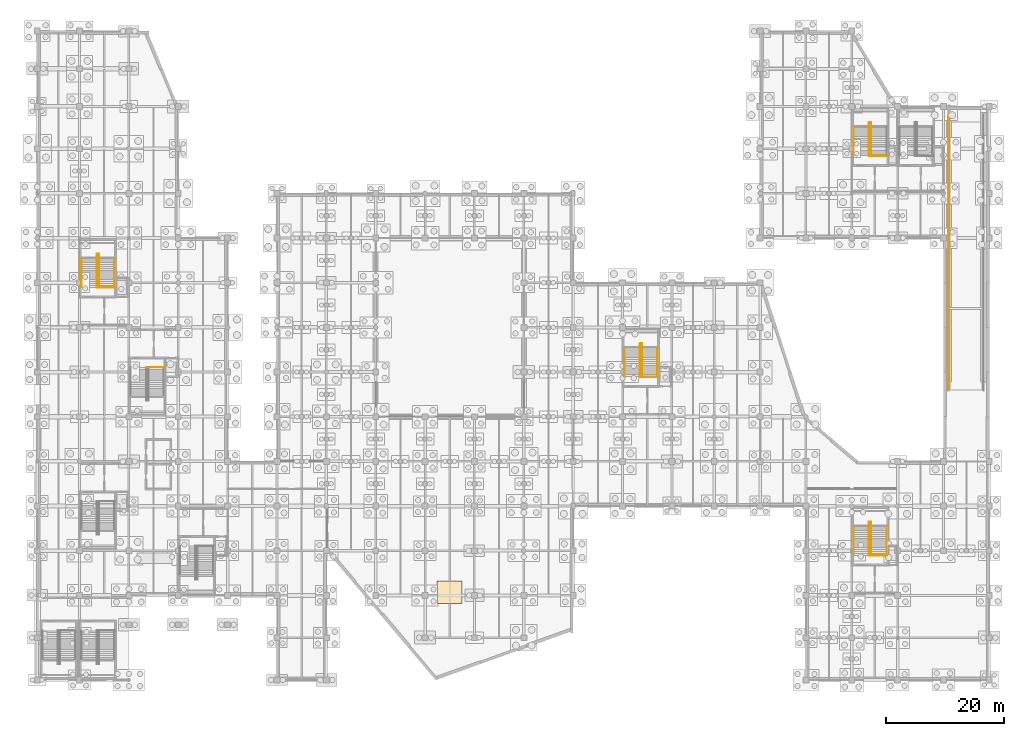
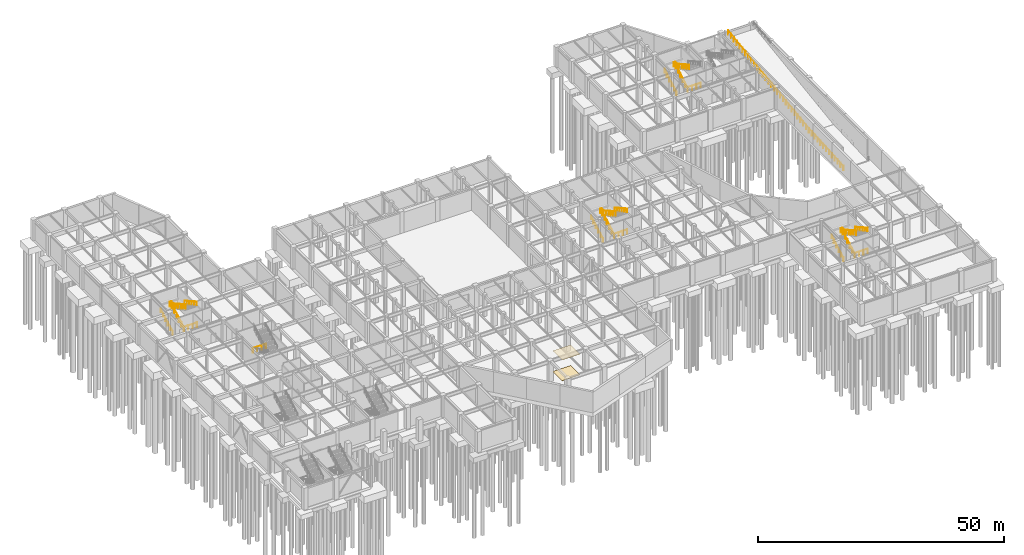
# One storey, part 50 of 52: 17 railings, 2 coverings.
"""IFC4 building model written with IfcOpenShell, lengths in metres."""

from ifc_helpers import new_model, si_unit, direction, frame, origin, origin_2d, place, context, subcontext, project, spatial, rectangle, circle, extrude, material, layer, layer_set, type_object, element, save


model = new_model("IFC4")

# Units and contexts
model_context = context("Model", 3, precision=1e-05, world=origin(), true_north=direction((0.0, 1.0)))
body_context = subcontext(model_context, "Body", "Model", "MODEL_VIEW")
ifc_project = project(units=[si_unit("LENGTHUNIT", "METRE"), si_unit("AREAUNIT", "SQUARE_METRE"), si_unit("VOLUMEUNIT", "CUBIC_METRE"), si_unit("PLANEANGLEUNIT", "RADIAN"), si_unit("MASSUNIT", "GRAM", prefix="KILO")], contexts=[model_context])

# Site, building, storey
site_placement = place(None, origin())
site = spatial("IfcSite", under=ifc_project, at=site_placement, CompositionType="ELEMENT")
building_placement = place(site_placement, origin())
building = spatial("IfcBuilding", under=site, at=building_placement, Name="Xicomal Pleat Aquarium", CompositionType="ELEMENT")
storey_placement = place(building_placement, frame((0.0, 0.0, -5.39990234375)))
storey = spatial("IfcBuildingStorey", under=building, at=storey_placement, Name="B1", CompositionType="ELEMENT", Elevation=-5.39990234375)

# Coverings
ifc_material_1 = material(Name="Acoustic mineral-fibre suspended ceiling", Category="gypsum")
ifc_layer_1 = layer(ifc_material_1, 0.02490234375)
ifc_layer_set_1 = layer_set([ifc_layer_1], Name="Acoustic mineral-fibre suspended ceiling")
covering_type_1 = type_object("IfcCoveringType", Name="COV-CEIL-25", PredefinedType="CEILING", material=ifc_layer_set_1)
covering_1_placement = place(storey_placement, frame((73.156982421875, 15.75, 5.135498046875), z_axis=(0.0, 0.0, 1.0), x_axis=(1.0, 0.0, 0.0)))
element("IfcCovering", 1, at=covering_1_placement, inside=storey, type_object=covering_type_1, Name="B1 acoustic ceiling 4", PredefinedType="CEILING", context=body_context, shape_type="SweptSolid", body=[
    extrude(rectangle(XDim=4.199951171875, YDim=3.800048828125, at=origin_2d()), origin(), (0.0, 0.0, 1.0), 0.02490234375),
])
ifc_material_2 = material(Name="Seamless marine terrazzo and epoxy flooring", Category="concrete")
ifc_layer_2 = layer(ifc_material_2, 0.02001953125)
ifc_layer_set_2 = layer_set([ifc_layer_2], Name="Seamless marine terrazzo and epoxy flooring")
covering_type_2 = type_object("IfcCoveringType", Name="COV-FLR-20", PredefinedType="FLOORING", material=ifc_layer_set_2)
covering_2_placement = place(storey_placement, frame((73.156982421875, 15.75, -0.001220703125), z_axis=(0.0, 0.0, 1.0), x_axis=(1.0, 0.0, 0.0)))
element("IfcCovering", 2, at=covering_2_placement, inside=storey, type_object=covering_type_2, Name="B1 marine terrazzo flooring 4", PredefinedType="FLOORING", context=body_context, shape_type="SweptSolid", body=[
    extrude(rectangle(XDim=4.199951171875, YDim=3.800048828125, at=origin_2d()), origin(), (0.0, 0.0, 1.0), 0.02001953125),
])

# Railings
ifc_material_3 = material(Name="Brushed stainless steel 316L", Category="steel")
railing_type_1 = type_object("IfcRailingType", Name="RAL-HR-900", PredefinedType="HANDRAIL", material=ifc_material_3)
railing_1_placement = place(storey_placement, frame((10.52001953125, 67.6201171875, 0.0)))
element("IfcRailing", 3, at=railing_1_placement, inside=storey, type_object=railing_type_1, Name="ST-03-B1 flight 1 handrail", PredefinedType="HANDRAIL", context=body_context, shape_type="SweptSolid", body=[
    extrude(circle(Radius=0.02392578125, at=origin_2d()), frame((0.0, 0.0, 0.8759765625), z_axis=(0.0, 0.872872184848, 0.487948920398), x_axis=(-1.0, 0.0, 0.0)), (0.0, 0.0, 1.0), 5.533203125),
    extrude(circle(Radius=0.02099609375, at=origin_2d()), origin(), (0.0, 0.0, 1.0), 0.851806640625),
    extrude(circle(Radius=0.02099609375, at=origin_2d()), frame((0.0, 0.966064453125, 0.5400390625)), (0.0, 0.0, 1.0), 0.851806640625),
    extrude(circle(Radius=0.02099609375, at=origin_2d()), frame((0.0, 1.931884765625, 1.080078125)), (0.0, 0.0, 1.0), 0.851806640625),
    extrude(circle(Radius=0.02099609375, at=origin_2d()), frame((0.0, 2.89794921875, 1.619873046875)), (0.0, 0.0, 1.0), 0.851806640625),
    extrude(circle(Radius=0.02099609375, at=origin_2d()), frame((0.0, 3.86376953125, 2.159912109375)), (0.0, 0.0, 1.0), 0.851806640625),
    extrude(circle(Radius=0.02099609375, at=origin_2d()), frame((0.0, 4.829833984375, 2.699951171875)), (0.0, 0.0, 1.0), 0.851806640625),
])
railing_2_placement = place(storey_placement, frame((16.139892578125, 72.449951171875, 2.699951171875)))
element("IfcRailing", 4, at=railing_2_placement, inside=storey, type_object=railing_type_1, Name="ST-03-B1 flight 2 handrail", PredefinedType="HANDRAIL", context=body_context, shape_type="SweptSolid", body=[
    extrude(circle(Radius=0.02392578125, at=origin_2d()), frame((0.0, 0.0, 0.8759765625), z_axis=(0.0, -0.872872184848, 0.487948920398), x_axis=(1.0, 0.0, 0.0)), (0.0, 0.0, 1.0), 5.533203125),
    extrude(circle(Radius=0.02099609375, at=origin_2d()), origin(), (0.0, 0.0, 1.0), 0.851806640625),
    extrude(circle(Radius=0.02099609375, at=origin_2d()), frame((0.0, -0.966064453125, 0.5400390625)), (0.0, 0.0, 1.0), 0.851806640625),
    extrude(circle(Radius=0.02099609375, at=origin_2d()), frame((0.0, -1.931884765625, 1.080078125)), (0.0, 0.0, 1.0), 0.851806640625),
    extrude(circle(Radius=0.02099609375, at=origin_2d()), frame((0.0, -2.89794921875, 1.619873046875)), (0.0, 0.0, 1.0), 0.851806640625),
    extrude(circle(Radius=0.02099609375, at=origin_2d()), frame((0.0, -3.86376953125, 2.159912109375)), (0.0, 0.0, 1.0), 0.851806640625),
    extrude(circle(Radius=0.02099609375, at=origin_2d()), frame((0.0, -4.829833984375, 2.699951171875)), (0.0, 0.0, 1.0), 0.851806640625),
])
for number, where, name in (
    (5, (141.919921875, 90.02001953125, 0.0), "ST-05-B1 flight 1 handrail"),
    (6, (102.919921875, 52.419921875, 0.0), "ST-07-B1 flight 1 handrail"),
):
    element("IfcRailing", number, at=place(storey_placement, frame(where)), inside=storey, type_object=railing_type_1, Name=name, PredefinedType="HANDRAIL", context=body_context, shape_type="SweptSolid", body=[
        extrude(circle(Radius=0.02392578125, at=origin_2d()), frame((0.0, 0.0, 0.8759765625), z_axis=(0.0, 0.872882689512, 0.487930128554), x_axis=(-1.0, 0.0, 0.0)), (0.0, 0.0, 1.0), 5.533447265625),
        extrude(circle(Radius=0.02099609375, at=origin_2d()), origin(), (0.0, 0.0, 1.0), 0.851806640625),
        extrude(circle(Radius=0.02099609375, at=origin_2d()), frame((0.0, 0.966064453125, 0.5400390625)), (0.0, 0.0, 1.0), 0.851806640625),
        extrude(circle(Radius=0.02099609375, at=origin_2d()), frame((0.0, 1.93212890625, 1.080078125)), (0.0, 0.0, 1.0), 0.851806640625),
        extrude(circle(Radius=0.02099609375, at=origin_2d()), frame((0.0, 2.89794921875, 1.619873046875)), (0.0, 0.0, 1.0), 0.851806640625),
        extrude(circle(Radius=0.02099609375, at=origin_2d()), frame((0.0, 3.864013671875, 2.159912109375)), (0.0, 0.0, 1.0), 0.851806640625),
        extrude(circle(Radius=0.02099609375, at=origin_2d()), frame((0.0, 4.830078125, 2.699951171875)), (0.0, 0.0, 1.0), 0.851806640625),
    ])
railing_3_placement = place(storey_placement, frame((108.5400390625, 57.25, 2.699951171875)))
element("IfcRailing", 7, at=railing_3_placement, inside=storey, type_object=railing_type_1, Name="ST-07-B1 flight 2 handrail", PredefinedType="HANDRAIL", context=body_context, shape_type="SweptSolid", body=[
    extrude(circle(Radius=0.02392578125, at=origin_2d()), frame((0.0, 0.0, 0.8759765625), z_axis=(0.0, -0.872882689512, 0.487930128554), x_axis=(1.0, 0.0, 0.0)), (0.0, 0.0, 1.0), 5.533447265625),
    extrude(circle(Radius=0.02099609375, at=origin_2d()), origin(), (0.0, 0.0, 1.0), 0.851806640625),
    extrude(circle(Radius=0.02099609375, at=origin_2d()), frame((0.0, -0.966064453125, 0.5400390625)), (0.0, 0.0, 1.0), 0.851806640625),
    extrude(circle(Radius=0.02099609375, at=origin_2d()), frame((0.0, -1.93212890625, 1.080078125)), (0.0, 0.0, 1.0), 0.851806640625),
    extrude(circle(Radius=0.02099609375, at=origin_2d()), frame((0.0, -2.89794921875, 1.619873046875)), (0.0, 0.0, 1.0), 0.851806640625),
    extrude(circle(Radius=0.02099609375, at=origin_2d()), frame((0.0, -3.864013671875, 2.159912109375)), (0.0, 0.0, 1.0), 0.851806640625),
    extrude(circle(Radius=0.02099609375, at=origin_2d()), frame((0.0, -4.830078125, 2.699951171875)), (0.0, 0.0, 1.0), 0.851806640625),
])
railing_4_placement = place(storey_placement, frame((141.919921875, 22.02001953125, 0.0)))
element("IfcRailing", 8, at=railing_4_placement, inside=storey, type_object=railing_type_1, Name="ST-08-B1 flight 1 handrail", PredefinedType="HANDRAIL", context=body_context, shape_type="SweptSolid", body=[
    extrude(circle(Radius=0.02392578125, at=origin_2d()), frame((0.0, 0.0, 0.8759765625), z_axis=(0.0, 0.872882689512, 0.487930128554), x_axis=(-1.0, 0.0, 0.0)), (0.0, 0.0, 1.0), 5.533447265625),
    extrude(circle(Radius=0.02099609375, at=origin_2d()), origin(), (0.0, 0.0, 1.0), 0.851806640625),
    extrude(circle(Radius=0.02099609375, at=origin_2d()), frame((0.0, 0.966064453125, 0.5400390625)), (0.0, 0.0, 1.0), 0.851806640625),
    extrude(circle(Radius=0.02099609375, at=origin_2d()), frame((0.0, 1.93212890625, 1.080078125)), (0.0, 0.0, 1.0), 0.851806640625),
    extrude(circle(Radius=0.02099609375, at=origin_2d()), frame((0.0, 2.89794921875, 1.619873046875)), (0.0, 0.0, 1.0), 0.851806640625),
    extrude(circle(Radius=0.02099609375, at=origin_2d()), frame((0.0, 3.864013671875, 2.159912109375)), (0.0, 0.0, 1.0), 0.851806640625),
    extrude(circle(Radius=0.02099609375, at=origin_2d()), frame((0.0, 4.830078125, 2.699951171875)), (0.0, 0.0, 1.0), 0.851806640625),
])
railing_5_placement = place(storey_placement, frame((147.5400390625, 26.85009765625, 2.699951171875)))
element("IfcRailing", 9, at=railing_5_placement, inside=storey, type_object=railing_type_1, Name="ST-08-B1 flight 2 handrail", PredefinedType="HANDRAIL", context=body_context, shape_type="SweptSolid", body=[
    extrude(circle(Radius=0.02392578125, at=origin_2d()), frame((0.0, 0.0, 0.8759765625), z_axis=(0.0, -0.872882689512, 0.487930128554), x_axis=(1.0, 0.0, 0.0)), (0.0, 0.0, 1.0), 5.533447265625),
    extrude(circle(Radius=0.02099609375, at=origin_2d()), origin(), (0.0, 0.0, 1.0), 0.851806640625),
    extrude(circle(Radius=0.02099609375, at=origin_2d()), frame((0.0, -0.966064453125, 0.5400390625)), (0.0, 0.0, 1.0), 0.851806640625),
    extrude(circle(Radius=0.02099609375, at=origin_2d()), frame((0.0, -1.93212890625, 1.080078125)), (0.0, 0.0, 1.0), 0.851806640625),
    extrude(circle(Radius=0.02099609375, at=origin_2d()), frame((0.0, -2.89794921875, 1.619873046875)), (0.0, 0.0, 1.0), 0.851806640625),
    extrude(circle(Radius=0.02099609375, at=origin_2d()), frame((0.0, -3.864013671875, 2.159912109375)), (0.0, 0.0, 1.0), 0.851806640625),
    extrude(circle(Radius=0.02099609375, at=origin_2d()), frame((0.0, -4.830078125, 2.699951171875)), (0.0, 0.0, 1.0), 0.851806640625),
])
ifc_material_4 = material(Name="Brushed stainless steel 316L", Category="steel")
railing_type_2 = type_object("IfcRailingType", Name="RAL-STG-1120", PredefinedType="GUARDRAIL", material=ifc_material_4)
railing_6_placement = place(storey_placement, frame((13.139892578125, 67.6201171875, 0.0)))
element("IfcRailing", 10, at=railing_6_placement, inside=storey, type_object=railing_type_2, Name="ST-03-B1 inner well guard", PredefinedType="GUARDRAIL", context=body_context, shape_type="SweptSolid", body=[
    extrude(circle(Radius=0.02392578125, at=origin_2d()), frame((0.0, 0.0, 1.09619140625), z_axis=(0.0, 0.872872184848, 0.487948920398), x_axis=(-1.0, 0.0, 0.0)), (0.0, 0.0, 1.0), 5.533203125),
    extrude(circle(Radius=0.02392578125, at=origin_2d()), frame((0.0, 4.829833984375, 3.7958984375), z_axis=(0.0, 1.0, 0.0), x_axis=(-1.0, 0.0, 0.0)), (0.0, 0.0, 1.0), 0.85009765625),
    extrude(circle(Radius=0.02392578125, at=origin_2d()), frame((0.0, 5.679931640625, 3.7958984375), z_axis=(1.0, 0.0, 0.0), x_axis=(0.0, 1.0, 0.0)), (0.0, 0.0, 1.0), 0.380126953125),
    extrude(circle(Radius=0.02392578125, at=origin_2d()), frame((0.380126953125, 5.679931640625, 3.7958984375), z_axis=(0.0, -1.0, 0.0), x_axis=(1.0, 0.0, 0.0)), (0.0, 0.0, 1.0), 0.85009765625),
    extrude(circle(Radius=0.02392578125, at=origin_2d()), frame((0.380126953125, 4.829833984375, 3.7958984375), z_axis=(0.0, -0.872872184848, 0.487948920398), x_axis=(1.0, 0.0, 0.0)), (0.0, 0.0, 1.0), 5.533203125),
    extrude(circle(Radius=0.02099609375, at=origin_2d()), origin(), (0.0, 0.0, 1.0), 1.072021484375),
    extrude(circle(Radius=0.02099609375, at=origin_2d()), frame((0.0, 0.966064453125, 0.5400390625)), (0.0, 0.0, 1.0), 1.072021484375),
    extrude(circle(Radius=0.02099609375, at=origin_2d()), frame((0.0, 1.931884765625, 1.080078125)), (0.0, 0.0, 1.0), 1.072021484375),
    extrude(circle(Radius=0.02099609375, at=origin_2d()), frame((0.0, 2.89794921875, 1.619873046875)), (0.0, 0.0, 1.0), 1.072021484375),
    extrude(circle(Radius=0.02099609375, at=origin_2d()), frame((0.0, 3.86376953125, 2.159912109375)), (0.0, 0.0, 1.0), 1.072021484375),
    extrude(circle(Radius=0.02099609375, at=origin_2d()), frame((0.0, 4.829833984375, 2.699951171875)), (0.0, 0.0, 1.0), 1.072021484375),
    extrude(circle(Radius=0.02099609375, at=origin_2d()), frame((0.0, 5.679931640625, 2.699951171875)), (0.0, 0.0, 1.0), 1.072021484375),
    extrude(circle(Radius=0.02099609375, at=origin_2d()), frame((0.380126953125, 5.679931640625, 2.699951171875)), (0.0, 0.0, 1.0), 1.072021484375),
    extrude(circle(Radius=0.02099609375, at=origin_2d()), frame((0.380126953125, 4.829833984375, 2.699951171875)), (0.0, 0.0, 1.0), 1.072021484375),
    extrude(circle(Radius=0.02099609375, at=origin_2d()), frame((0.380126953125, 3.86376953125, 3.239990234375)), (0.0, 0.0, 1.0), 1.072021484375),
    extrude(circle(Radius=0.02099609375, at=origin_2d()), frame((0.380126953125, 2.89794921875, 3.780029296875)), (0.0, 0.0, 1.0), 1.072021484375),
    extrude(circle(Radius=0.02099609375, at=origin_2d()), frame((0.380126953125, 1.931884765625, 4.31982421875)), (0.0, 0.0, 1.0), 1.072021484375),
    extrude(circle(Radius=0.02099609375, at=origin_2d()), frame((0.380126953125, 0.966064453125, 4.85986328125)), (0.0, 0.0, 1.0), 1.072021484375),
    extrude(circle(Radius=0.02099609375, at=origin_2d()), frame((0.380126953125, 0.0, 5.39990234375)), (0.0, 0.0, 1.0), 1.072021484375),
])
for number, where, name in (
    (11, (13.139892578125, 67.580078125, 0.0), "ST-03-B1 floor landing slot guard"),
    (12, (21.5400390625, 54.02001953125, 0.0), "ST-04-B1 floor landing slot guard"),
):
    element("IfcRailing", number, at=place(storey_placement, frame(where)), inside=storey, type_object=railing_type_2, Name=name, PredefinedType="GUARDRAIL", context=body_context, shape_type="SweptSolid", body=[
        extrude(circle(Radius=0.02392578125, at=origin_2d()), frame((0.0, 0.0, 1.09619140625), z_axis=(1.0, 0.0, 0.0), x_axis=(0.0, 1.0, 0.0)), (0.0, 0.0, 1.0), 3.080078125),
        extrude(circle(Radius=0.02099609375, at=origin_2d()), origin(), (0.0, 0.0, 1.0), 1.072021484375),
        extrude(circle(Radius=0.02099609375, at=origin_2d()), frame((1.026611328125, 0.0, 0.0)), (0.0, 0.0, 1.0), 1.072021484375),
        extrude(circle(Radius=0.02099609375, at=origin_2d()), frame((2.053466796875, 0.0, 0.0)), (0.0, 0.0, 1.0), 1.072021484375),
        extrude(circle(Radius=0.02099609375, at=origin_2d()), frame((3.080078125, 0.0, 0.0)), (0.0, 0.0, 1.0), 1.072021484375),
    ])
railing_7_placement = place(storey_placement, frame((144.5400390625, 90.02001953125, 0.0)))
element("IfcRailing", 13, at=railing_7_placement, inside=storey, type_object=railing_type_2, Name="ST-05-B1 inner well guard", PredefinedType="GUARDRAIL", context=body_context, shape_type="SweptSolid", body=[
    extrude(circle(Radius=0.02392578125, at=origin_2d()), frame((0.0, 0.0, 1.09619140625), z_axis=(0.0, 0.872882689512, 0.487930128554), x_axis=(-1.0, 0.0, 0.0)), (0.0, 0.0, 1.0), 5.533447265625),
    extrude(circle(Radius=0.02392578125, at=origin_2d()), frame((0.0, 4.830078125, 3.7958984375), z_axis=(0.0, 1.0, 0.0), x_axis=(-1.0, 0.0, 0.0)), (0.0, 0.0, 1.0), 0.849853515625),
    extrude(circle(Radius=0.02392578125, at=origin_2d()), frame((0.0, 5.679931640625, 3.7958984375), z_axis=(1.0, 0.0, 0.0), x_axis=(0.0, 1.0, 0.0)), (0.0, 0.0, 1.0), 0.3798828125),
    extrude(circle(Radius=0.02392578125, at=origin_2d()), frame((0.3798828125, 5.679931640625, 3.7958984375), z_axis=(0.0, -1.0, 0.0), x_axis=(1.0, 0.0, 0.0)), (0.0, 0.0, 1.0), 0.849853515625),
    extrude(circle(Radius=0.02392578125, at=origin_2d()), frame((0.3798828125, 4.830078125, 3.7958984375), z_axis=(0.0, -0.872882689512, 0.487930128554), x_axis=(1.0, 0.0, 0.0)), (0.0, 0.0, 1.0), 5.533447265625),
    extrude(circle(Radius=0.02099609375, at=origin_2d()), origin(), (0.0, 0.0, 1.0), 1.072021484375),
    extrude(circle(Radius=0.02099609375, at=origin_2d()), frame((0.0, 0.966064453125, 0.5400390625)), (0.0, 0.0, 1.0), 1.072021484375),
    extrude(circle(Radius=0.02099609375, at=origin_2d()), frame((0.0, 1.93212890625, 1.080078125)), (0.0, 0.0, 1.0), 1.072021484375),
    extrude(circle(Radius=0.02099609375, at=origin_2d()), frame((0.0, 2.89794921875, 1.619873046875)), (0.0, 0.0, 1.0), 1.072021484375),
    extrude(circle(Radius=0.02099609375, at=origin_2d()), frame((0.0, 3.864013671875, 2.159912109375)), (0.0, 0.0, 1.0), 1.072021484375),
    extrude(circle(Radius=0.02099609375, at=origin_2d()), frame((0.0, 4.830078125, 2.699951171875)), (0.0, 0.0, 1.0), 1.072021484375),
    extrude(circle(Radius=0.02099609375, at=origin_2d()), frame((0.0, 5.679931640625, 2.699951171875)), (0.0, 0.0, 1.0), 1.072021484375),
    extrude(circle(Radius=0.02099609375, at=origin_2d()), frame((0.3798828125, 5.679931640625, 2.699951171875)), (0.0, 0.0, 1.0), 1.072021484375),
    extrude(circle(Radius=0.02099609375, at=origin_2d()), frame((0.3798828125, 4.830078125, 2.699951171875)), (0.0, 0.0, 1.0), 1.072021484375),
    extrude(circle(Radius=0.02099609375, at=origin_2d()), frame((0.3798828125, 3.864013671875, 3.239990234375)), (0.0, 0.0, 1.0), 1.072021484375),
    extrude(circle(Radius=0.02099609375, at=origin_2d()), frame((0.3798828125, 2.89794921875, 3.780029296875)), (0.0, 0.0, 1.0), 1.072021484375),
    extrude(circle(Radius=0.02099609375, at=origin_2d()), frame((0.3798828125, 1.93212890625, 4.31982421875)), (0.0, 0.0, 1.0), 1.072021484375),
    extrude(circle(Radius=0.02099609375, at=origin_2d()), frame((0.3798828125, 0.966064453125, 4.85986328125)), (0.0, 0.0, 1.0), 1.072021484375),
    extrude(circle(Radius=0.02099609375, at=origin_2d()), frame((0.3798828125, 0.0, 5.39990234375)), (0.0, 0.0, 1.0), 1.072021484375),
])
railing_8_placement = place(storey_placement, frame((144.5400390625, 89.97998046875, 0.0)))
element("IfcRailing", 14, at=railing_8_placement, inside=storey, type_object=railing_type_2, Name="ST-05-B1 floor landing slot guard", PredefinedType="GUARDRAIL", context=body_context, shape_type="SweptSolid", body=[
    extrude(circle(Radius=0.02392578125, at=origin_2d()), frame((0.0, 0.0, 1.09619140625), z_axis=(1.0, 0.0, 0.0), x_axis=(0.0, 1.0, 0.0)), (0.0, 0.0, 1.0), 3.080078125),
    extrude(circle(Radius=0.02099609375, at=origin_2d()), origin(), (0.0, 0.0, 1.0), 1.072021484375),
    extrude(circle(Radius=0.02099609375, at=origin_2d()), frame((1.026611328125, 0.0, 0.0)), (0.0, 0.0, 1.0), 1.072021484375),
    extrude(circle(Radius=0.02099609375, at=origin_2d()), frame((2.053466796875, 0.0, 0.0)), (0.0, 0.0, 1.0), 1.072021484375),
    extrude(circle(Radius=0.02099609375, at=origin_2d()), frame((3.080078125, 0.0, 0.0)), (0.0, 0.0, 1.0), 1.072021484375),
])
railing_9_placement = place(storey_placement, frame((105.5400390625, 52.419921875, 0.0)))
element("IfcRailing", 15, at=railing_9_placement, inside=storey, type_object=railing_type_2, Name="ST-07-B1 inner well guard", PredefinedType="GUARDRAIL", context=body_context, shape_type="SweptSolid", body=[
    extrude(circle(Radius=0.02392578125, at=origin_2d()), frame((0.0, 0.0, 1.09619140625), z_axis=(0.0, 0.872882689512, 0.487930128554), x_axis=(-1.0, 0.0, 0.0)), (0.0, 0.0, 1.0), 5.533447265625),
    extrude(circle(Radius=0.02392578125, at=origin_2d()), frame((0.0, 4.830078125, 3.7958984375), z_axis=(0.0, 1.0, 0.0), x_axis=(-1.0, 0.0, 0.0)), (0.0, 0.0, 1.0), 0.85009765625),
    extrude(circle(Radius=0.02392578125, at=origin_2d()), frame((0.0, 5.68017578125, 3.7958984375), z_axis=(1.0, 0.0, 0.0), x_axis=(0.0, 1.0, 0.0)), (0.0, 0.0, 1.0), 0.3798828125),
    extrude(circle(Radius=0.02392578125, at=origin_2d()), frame((0.3798828125, 5.68017578125, 3.7958984375), z_axis=(0.0, -1.0, 0.0), x_axis=(1.0, 0.0, 0.0)), (0.0, 0.0, 1.0), 0.85009765625),
    extrude(circle(Radius=0.02392578125, at=origin_2d()), frame((0.3798828125, 4.830078125, 3.7958984375), z_axis=(0.0, -0.872882689512, 0.487930128554), x_axis=(1.0, 0.0, 0.0)), (0.0, 0.0, 1.0), 5.533447265625),
    extrude(circle(Radius=0.02099609375, at=origin_2d()), origin(), (0.0, 0.0, 1.0), 1.072021484375),
    extrude(circle(Radius=0.02099609375, at=origin_2d()), frame((0.0, 0.966064453125, 0.5400390625)), (0.0, 0.0, 1.0), 1.072021484375),
    extrude(circle(Radius=0.02099609375, at=origin_2d()), frame((0.0, 1.93212890625, 1.080078125)), (0.0, 0.0, 1.0), 1.072021484375),
    extrude(circle(Radius=0.02099609375, at=origin_2d()), frame((0.0, 2.89794921875, 1.619873046875)), (0.0, 0.0, 1.0), 1.072021484375),
    extrude(circle(Radius=0.02099609375, at=origin_2d()), frame((0.0, 3.864013671875, 2.159912109375)), (0.0, 0.0, 1.0), 1.072021484375),
    extrude(circle(Radius=0.02099609375, at=origin_2d()), frame((0.0, 4.830078125, 2.699951171875)), (0.0, 0.0, 1.0), 1.072021484375),
    extrude(circle(Radius=0.02099609375, at=origin_2d()), frame((0.0, 5.68017578125, 2.699951171875)), (0.0, 0.0, 1.0), 1.072021484375),
    extrude(circle(Radius=0.02099609375, at=origin_2d()), frame((0.3798828125, 5.68017578125, 2.699951171875)), (0.0, 0.0, 1.0), 1.072021484375),
    extrude(circle(Radius=0.02099609375, at=origin_2d()), frame((0.3798828125, 4.830078125, 2.699951171875)), (0.0, 0.0, 1.0), 1.072021484375),
    extrude(circle(Radius=0.02099609375, at=origin_2d()), frame((0.3798828125, 3.864013671875, 3.239990234375)), (0.0, 0.0, 1.0), 1.072021484375),
    extrude(circle(Radius=0.02099609375, at=origin_2d()), frame((0.3798828125, 2.89794921875, 3.780029296875)), (0.0, 0.0, 1.0), 1.072021484375),
    extrude(circle(Radius=0.02099609375, at=origin_2d()), frame((0.3798828125, 1.93212890625, 4.31982421875)), (0.0, 0.0, 1.0), 1.072021484375),
    extrude(circle(Radius=0.02099609375, at=origin_2d()), frame((0.3798828125, 0.966064453125, 4.85986328125)), (0.0, 0.0, 1.0), 1.072021484375),
    extrude(circle(Radius=0.02099609375, at=origin_2d()), frame((0.3798828125, 0.0, 5.39990234375)), (0.0, 0.0, 1.0), 1.072021484375),
])
railing_10_placement = place(storey_placement, frame((105.5400390625, 52.3798828125, 0.0)))
element("IfcRailing", 16, at=railing_10_placement, inside=storey, type_object=railing_type_2, Name="ST-07-B1 floor landing slot guard", PredefinedType="GUARDRAIL", context=body_context, shape_type="SweptSolid", body=[
    extrude(circle(Radius=0.02392578125, at=origin_2d()), frame((0.0, 0.0, 1.09619140625), z_axis=(1.0, 0.0, 0.0), x_axis=(0.0, 1.0, 0.0)), (0.0, 0.0, 1.0), 3.080078125),
    extrude(circle(Radius=0.02099609375, at=origin_2d()), origin(), (0.0, 0.0, 1.0), 1.072021484375),
    extrude(circle(Radius=0.02099609375, at=origin_2d()), frame((1.026611328125, 0.0, 0.0)), (0.0, 0.0, 1.0), 1.072021484375),
    extrude(circle(Radius=0.02099609375, at=origin_2d()), frame((2.053466796875, 0.0, 0.0)), (0.0, 0.0, 1.0), 1.072021484375),
    extrude(circle(Radius=0.02099609375, at=origin_2d()), frame((3.080078125, 0.0, 0.0)), (0.0, 0.0, 1.0), 1.072021484375),
])
railing_11_placement = place(storey_placement, frame((144.5400390625, 22.02001953125, 0.0)))
element("IfcRailing", 17, at=railing_11_placement, inside=storey, type_object=railing_type_2, Name="ST-08-B1 inner well guard", PredefinedType="GUARDRAIL", context=body_context, shape_type="SweptSolid", body=[
    extrude(circle(Radius=0.02392578125, at=origin_2d()), frame((0.0, 0.0, 1.09619140625), z_axis=(0.0, 0.872882689512, 0.487930128554), x_axis=(-1.0, 0.0, 0.0)), (0.0, 0.0, 1.0), 5.533447265625),
    extrude(circle(Radius=0.02392578125, at=origin_2d()), frame((0.0, 4.830078125, 3.7958984375), z_axis=(0.0, 1.0, 0.0), x_axis=(-1.0, 0.0, 0.0)), (0.0, 0.0, 1.0), 0.849853515625),
    extrude(circle(Radius=0.02392578125, at=origin_2d()), frame((0.0, 5.679931640625, 3.7958984375), z_axis=(1.0, 0.0, 0.0), x_axis=(0.0, 1.0, 0.0)), (0.0, 0.0, 1.0), 0.3798828125),
    extrude(circle(Radius=0.02392578125, at=origin_2d()), frame((0.3798828125, 5.679931640625, 3.7958984375), z_axis=(0.0, -1.0, 0.0), x_axis=(1.0, 0.0, 0.0)), (0.0, 0.0, 1.0), 0.849853515625),
    extrude(circle(Radius=0.02392578125, at=origin_2d()), frame((0.3798828125, 4.830078125, 3.7958984375), z_axis=(0.0, -0.872882689512, 0.487930128554), x_axis=(1.0, 0.0, 0.0)), (0.0, 0.0, 1.0), 5.533447265625),
    extrude(circle(Radius=0.02099609375, at=origin_2d()), origin(), (0.0, 0.0, 1.0), 1.072021484375),
    extrude(circle(Radius=0.02099609375, at=origin_2d()), frame((0.0, 0.966064453125, 0.5400390625)), (0.0, 0.0, 1.0), 1.072021484375),
    extrude(circle(Radius=0.02099609375, at=origin_2d()), frame((0.0, 1.93212890625, 1.080078125)), (0.0, 0.0, 1.0), 1.072021484375),
    extrude(circle(Radius=0.02099609375, at=origin_2d()), frame((0.0, 2.89794921875, 1.619873046875)), (0.0, 0.0, 1.0), 1.072021484375),
    extrude(circle(Radius=0.02099609375, at=origin_2d()), frame((0.0, 3.864013671875, 2.159912109375)), (0.0, 0.0, 1.0), 1.072021484375),
    extrude(circle(Radius=0.02099609375, at=origin_2d()), frame((0.0, 4.830078125, 2.699951171875)), (0.0, 0.0, 1.0), 1.072021484375),
    extrude(circle(Radius=0.02099609375, at=origin_2d()), frame((0.0, 5.679931640625, 2.699951171875)), (0.0, 0.0, 1.0), 1.072021484375),
    extrude(circle(Radius=0.02099609375, at=origin_2d()), frame((0.3798828125, 5.679931640625, 2.699951171875)), (0.0, 0.0, 1.0), 1.072021484375),
    extrude(circle(Radius=0.02099609375, at=origin_2d()), frame((0.3798828125, 4.830078125, 2.699951171875)), (0.0, 0.0, 1.0), 1.072021484375),
    extrude(circle(Radius=0.02099609375, at=origin_2d()), frame((0.3798828125, 3.864013671875, 3.239990234375)), (0.0, 0.0, 1.0), 1.072021484375),
    extrude(circle(Radius=0.02099609375, at=origin_2d()), frame((0.3798828125, 2.89794921875, 3.780029296875)), (0.0, 0.0, 1.0), 1.072021484375),
    extrude(circle(Radius=0.02099609375, at=origin_2d()), frame((0.3798828125, 1.93212890625, 4.31982421875)), (0.0, 0.0, 1.0), 1.072021484375),
    extrude(circle(Radius=0.02099609375, at=origin_2d()), frame((0.3798828125, 0.966064453125, 4.85986328125)), (0.0, 0.0, 1.0), 1.072021484375),
    extrude(circle(Radius=0.02099609375, at=origin_2d()), frame((0.3798828125, 0.0, 5.39990234375)), (0.0, 0.0, 1.0), 1.072021484375),
])
railing_12_placement = place(storey_placement, frame((144.5400390625, 21.97998046875, 0.0)))
element("IfcRailing", 18, at=railing_12_placement, inside=storey, type_object=railing_type_2, Name="ST-08-B1 floor landing slot guard", PredefinedType="GUARDRAIL", context=body_context, shape_type="SweptSolid", body=[
    extrude(circle(Radius=0.02392578125, at=origin_2d()), frame((0.0, 0.0, 1.09619140625), z_axis=(1.0, 0.0, 0.0), x_axis=(0.0, 1.0, 0.0)), (0.0, 0.0, 1.0), 3.080078125),
    extrude(circle(Radius=0.02099609375, at=origin_2d()), origin(), (0.0, 0.0, 1.0), 1.072021484375),
    extrude(circle(Radius=0.02099609375, at=origin_2d()), frame((1.026611328125, 0.0, 0.0)), (0.0, 0.0, 1.0), 1.072021484375),
    extrude(circle(Radius=0.02099609375, at=origin_2d()), frame((2.053466796875, 0.0, 0.0)), (0.0, 0.0, 1.0), 1.072021484375),
    extrude(circle(Radius=0.02099609375, at=origin_2d()), frame((3.080078125, 0.0, 0.0)), (0.0, 0.0, 1.0), 1.072021484375),
])
railing_13_placement = place(storey_placement, frame((158.06005859375, 50.0, 0.0)))
element("IfcRailing", 19, at=railing_13_placement, inside=storey, type_object=railing_type_2, Name="Vehicle ramp sloping deck edge guard W", PredefinedType="GUARDRAIL", context=body_context, shape_type="SweptSolid", body=[
    extrude(circle(Radius=0.02392578125, at=origin_2d()), frame((0.0, 0.0, 1.09619140625), z_axis=(0.0, 0.998205511447, 0.05988119), x_axis=(-1.0, 0.0, 0.0)), (0.0, 0.0, 1.0), 14.025146484375),
    extrude(circle(Radius=0.02392578125, at=origin_2d()), frame((0.0, 14.0, 1.93603515625), z_axis=(0.0, 0.99133237752, 0.131377765551), x_axis=(-1.0, 0.0, 0.0)), (0.0, 0.0, 1.0), 33.1875),
    extrude(circle(Radius=0.02099609375, at=origin_2d()), origin(), (0.0, 0.0, 1.0), 1.072021484375),
    extrude(circle(Radius=0.02099609375, at=origin_2d()), frame((0.0, 1.166748046875, 0.070068359375)), (0.0, 0.0, 1.0), 1.072021484375),
    extrude(circle(Radius=0.02099609375, at=origin_2d()), frame((0.0, 2.333251953125, 0.139892578125)), (0.0, 0.0, 1.0), 1.072021484375),
    extrude(circle(Radius=0.02099609375, at=origin_2d()), frame((0.0, 3.5, 0.2099609375)), (0.0, 0.0, 1.0), 1.072021484375),
    extrude(circle(Radius=0.02099609375, at=origin_2d()), frame((0.0, 4.666748046875, 0.280029296875)), (0.0, 0.0, 1.0), 1.072021484375),
    extrude(circle(Radius=0.02099609375, at=origin_2d()), frame((0.0, 5.833251953125, 0.349853515625)), (0.0, 0.0, 1.0), 1.072021484375),
    extrude(circle(Radius=0.02099609375, at=origin_2d()), frame((0.0, 7.0, 0.419921875)), (0.0, 0.0, 1.0), 1.072021484375),
    extrude(circle(Radius=0.02099609375, at=origin_2d()), frame((0.0, 8.166748046875, 0.489990234375)), (0.0, 0.0, 1.0), 1.072021484375),
    extrude(circle(Radius=0.02099609375, at=origin_2d()), frame((0.0, 9.333251953125, 0.559814453125)), (0.0, 0.0, 1.0), 1.072021484375),
    extrude(circle(Radius=0.02099609375, at=origin_2d()), frame((0.0, 10.5, 0.6298828125)), (0.0, 0.0, 1.0), 1.072021484375),
    extrude(circle(Radius=0.02099609375, at=origin_2d()), frame((0.0, 11.666748046875, 0.699951171875)), (0.0, 0.0, 1.0), 1.072021484375),
    extrude(circle(Radius=0.02099609375, at=origin_2d()), frame((0.0, 12.833251953125, 0.769775390625)), (0.0, 0.0, 1.0), 1.072021484375),
    extrude(circle(Radius=0.02099609375, at=origin_2d()), frame((0.0, 14.0, 0.83984375)), (0.0, 0.0, 1.0), 1.072021484375),
    extrude(circle(Radius=0.02099609375, at=origin_2d()), frame((0.0, 15.175048828125, 0.99560546875)), (0.0, 0.0, 1.0), 1.072021484375),
    extrude(circle(Radius=0.02099609375, at=origin_2d()), frame((0.0, 16.35009765625, 1.1513671875)), (0.0, 0.0, 1.0), 1.072021484375),
    extrude(circle(Radius=0.02099609375, at=origin_2d()), frame((0.0, 17.52490234375, 1.306884765625)), (0.0, 0.0, 1.0), 1.072021484375),
    extrude(circle(Radius=0.02099609375, at=origin_2d()), frame((0.0, 18.699951171875, 1.462646484375)), (0.0, 0.0, 1.0), 1.072021484375),
    extrude(circle(Radius=0.02099609375, at=origin_2d()), frame((0.0, 19.875, 1.618408203125)), (0.0, 0.0, 1.0), 1.072021484375),
    extrude(circle(Radius=0.02099609375, at=origin_2d()), frame((0.0, 21.050048828125, 1.774169921875)), (0.0, 0.0, 1.0), 1.072021484375),
    extrude(circle(Radius=0.02099609375, at=origin_2d()), frame((0.0, 22.22509765625, 1.929931640625)), (0.0, 0.0, 1.0), 1.072021484375),
    extrude(circle(Radius=0.02099609375, at=origin_2d()), frame((0.0, 23.39990234375, 2.085693359375)), (0.0, 0.0, 1.0), 1.072021484375),
    extrude(circle(Radius=0.02099609375, at=origin_2d()), frame((0.0, 24.574951171875, 2.2412109375)), (0.0, 0.0, 1.0), 1.072021484375),
    extrude(circle(Radius=0.02099609375, at=origin_2d()), frame((0.0, 25.75, 2.39697265625)), (0.0, 0.0, 1.0), 1.072021484375),
    extrude(circle(Radius=0.02099609375, at=origin_2d()), frame((0.0, 26.925048828125, 2.552734375)), (0.0, 0.0, 1.0), 1.072021484375),
    extrude(circle(Radius=0.02099609375, at=origin_2d()), frame((0.0, 28.099853515625, 2.70849609375)), (0.0, 0.0, 1.0), 1.072021484375),
    extrude(circle(Radius=0.02099609375, at=origin_2d()), frame((0.0, 29.27490234375, 2.8642578125)), (0.0, 0.0, 1.0), 1.072021484375),
    extrude(circle(Radius=0.02099609375, at=origin_2d()), frame((0.0, 30.449951171875, 3.02001953125)), (0.0, 0.0, 1.0), 1.072021484375),
    extrude(circle(Radius=0.02099609375, at=origin_2d()), frame((0.0, 31.625, 3.175537109375)), (0.0, 0.0, 1.0), 1.072021484375),
    extrude(circle(Radius=0.02099609375, at=origin_2d()), frame((0.0, 32.800048828125, 3.331298828125)), (0.0, 0.0, 1.0), 1.072021484375),
    extrude(circle(Radius=0.02099609375, at=origin_2d()), frame((0.0, 33.974853515625, 3.487060546875)), (0.0, 0.0, 1.0), 1.072021484375),
    extrude(circle(Radius=0.02099609375, at=origin_2d()), frame((0.0, 35.14990234375, 3.642822265625)), (0.0, 0.0, 1.0), 1.072021484375),
    extrude(circle(Radius=0.02099609375, at=origin_2d()), frame((0.0, 36.324951171875, 3.798583984375)), (0.0, 0.0, 1.0), 1.072021484375),
    extrude(circle(Radius=0.02099609375, at=origin_2d()), frame((0.0, 37.5, 3.9541015625)), (0.0, 0.0, 1.0), 1.072021484375),
    extrude(circle(Radius=0.02099609375, at=origin_2d()), frame((0.0, 38.6748046875, 4.10986328125)), (0.0, 0.0, 1.0), 1.072021484375),
    extrude(circle(Radius=0.02099609375, at=origin_2d()), frame((0.0, 39.849853515625, 4.265625)), (0.0, 0.0, 1.0), 1.072021484375),
    extrude(circle(Radius=0.02099609375, at=origin_2d()), frame((0.0, 41.02490234375, 4.42138671875)), (0.0, 0.0, 1.0), 1.072021484375),
    extrude(circle(Radius=0.02099609375, at=origin_2d()), frame((0.0, 42.199951171875, 4.5771484375)), (0.0, 0.0, 1.0), 1.072021484375),
    extrude(circle(Radius=0.02099609375, at=origin_2d()), frame((0.0, 43.375, 4.73291015625)), (0.0, 0.0, 1.0), 1.072021484375),
    extrude(circle(Radius=0.02099609375, at=origin_2d()), frame((0.0, 44.5498046875, 4.888427734375)), (0.0, 0.0, 1.0), 1.072021484375),
    extrude(circle(Radius=0.02099609375, at=origin_2d()), frame((0.0, 45.724853515625, 5.044189453125)), (0.0, 0.0, 1.0), 1.072021484375),
    extrude(circle(Radius=0.02099609375, at=origin_2d()), frame((0.0, 46.89990234375, 5.199951171875)), (0.0, 0.0, 1.0), 1.072021484375),
])

save(model, "model.ifc")
